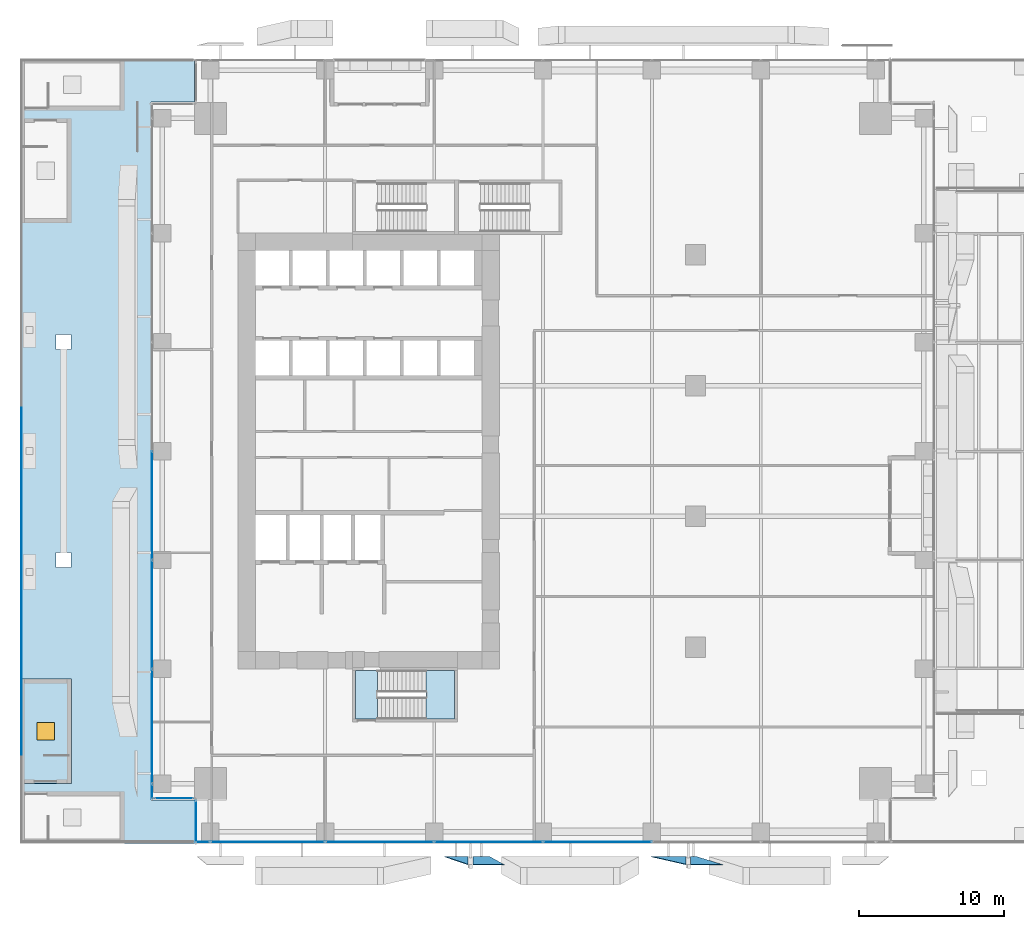
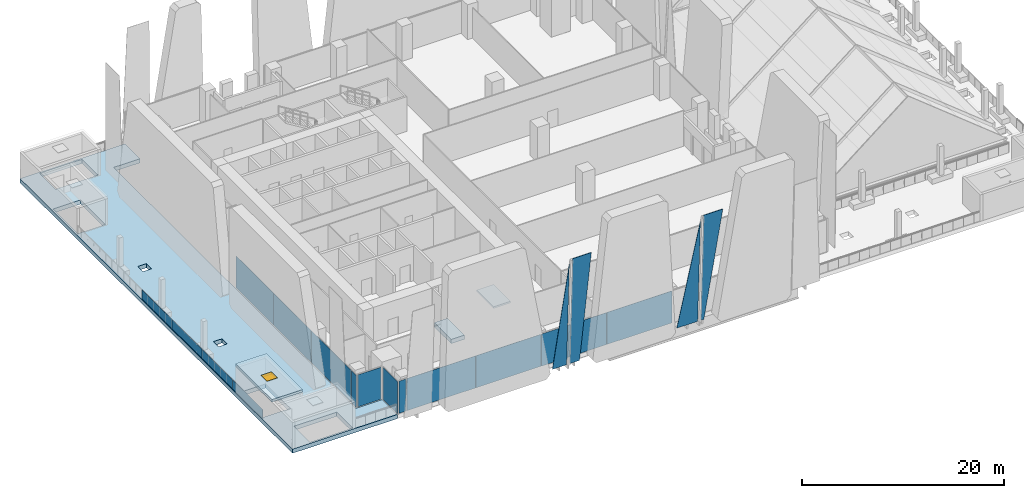
# One storey, part 26 of 46: 19 plates, 4 slabs, 1 window, 1 opening, 5 elements without a shape of their own.
"""IFC4 building model written with IfcOpenShell, lengths in metres."""

import ifcopenshell
import ifcopenshell.guid

model = None  # the IFC model being written
_history = None  # IfcOwnerHistory: only IFC2X3 demands one
_inside = {}  # id of a spatial element -> (the spatial element, [elements in it])
_under = {}  # id of a project, library or spatial element -> (it, [spatial elements below it])
_declared = {}  # id of a project -> (the project, [libraries it declares])
_typed = {}  # id of a type object -> (the type object, [elements of that type])
_made_of = {}  # id of a material, layer set ... -> (it, [elements and type objects made of it])


def new_model(schema):
    """Start an empty IFC model of exactly this schema.

    Asked for "IFC4X3", IfcOpenShell would pick the latest addendum, in which some entities
    have other attributes; the version numbers below select the first issue.
    IFC2X3 requires an IfcOwnerHistory on every rooted entity: one is made here for all.
    """
    global model, _history
    if schema == "IFC4X3":
        model = ifcopenshell.file(schema_version=(4, 3, 0, 0))
    else:
        model = ifcopenshell.file(schema=schema)
    _inside.clear()
    _under.clear()
    _declared.clear()
    _typed.clear()
    _made_of.clear()
    _history = None
    if model.schema == "IFC2X3":
        org = make("IfcOrganization", Name="unknown")
        user = make(
            "IfcPersonAndOrganization",
            ThePerson=make("IfcPerson", FamilyName="unknown"),
            TheOrganization=org,
        )
        app = make(
            "IfcApplication",
            ApplicationDeveloper=org,
            Version="unknown",
            ApplicationFullName="unknown",
            ApplicationIdentifier="unknown",
        )
        _history = make(
            "IfcOwnerHistory",
            OwningUser=user,
            OwningApplication=app,
            ChangeAction="ADDED",
            CreationDate=0,
        )
    return model


def make(cls, **values):
    """One entity of the class cls with the attributes given. An attribute that is None is left unset."""
    return model.create_entity(
        cls, **{name: value for name, value in values.items() if value is not None}
    )


def rooted(cls, **values):
    """An entity with a GlobalId (a new one), such as an element, a storey or a relation."""
    return make(cls, GlobalId=ifcopenshell.guid.new(), OwnerHistory=_history, **values)


def si_unit(unit_type, name, prefix=None):
    """IfcSIUnit, for example si_unit("LENGTHUNIT", "METRE", prefix="MILLI")."""
    return make("IfcSIUnit", UnitType=unit_type, Prefix=prefix, Name=name)


def assignment(units):
    """IfcUnitAssignment: the units of a project."""
    return None if units is None else make("IfcUnitAssignment", Units=units)


def point(xyz):
    """IfcCartesianPoint."""
    return None if xyz is None else make("IfcCartesianPoint", Coordinates=xyz)


def direction(xyz):
    """IfcDirection."""
    return None if xyz is None else make("IfcDirection", DirectionRatios=xyz)


def frame(location, z_axis=None, x_axis=None):
    """IfcAxis2Placement3D, a coordinate frame: its origin and axes. An axis left out is left unset."""
    return make(
        "IfcAxis2Placement3D",
        Location=point(location),
        Axis=direction(z_axis),
        RefDirection=direction(x_axis),
    )


def frame_2d(location, x_axis=None):
    """IfcAxis2Placement2D, a coordinate frame in the plane: its origin and x axis."""
    return make(
        "IfcAxis2Placement2D", Location=point(location), RefDirection=direction(x_axis)
    )


def origin():
    """The frame at (0, 0, 0) with its axes left unset."""
    return frame((0.0, 0.0, 0.0))


def origin_2d():
    """The frame at (0, 0) in the plane with its x axis left unset."""
    return frame_2d((0.0, 0.0))


def place(relative_to, where):
    """IfcLocalPlacement: puts the frame where relative to a parent placement (None: the world)."""
    return make(
        "IfcLocalPlacement", PlacementRelTo=relative_to, RelativePlacement=where
    )


def context(
    kind, dimensions, precision=None, world=None, true_north=None, identifier=None
):
    """IfcGeometricRepresentationContext, for example the 3D "Model" context."""
    return make(
        "IfcGeometricRepresentationContext",
        ContextIdentifier=identifier,
        ContextType=kind,
        CoordinateSpaceDimension=dimensions,
        Precision=precision,
        WorldCoordinateSystem=world,
        TrueNorth=true_north,
    )


def subcontext(parent, identifier, kind, view, scale=None):
    """IfcGeometricRepresentationSubContext, for example "Body" below "Model"."""
    return make(
        "IfcGeometricRepresentationSubContext",
        ContextIdentifier=identifier,
        ContextType=kind,
        ParentContext=parent,
        TargetScale=scale,
        TargetView=view,
    )


def project(units=None, contexts=None):
    """IfcProject with its units and contexts."""
    return rooted(
        "IfcProject",
        Name="project",
        RepresentationContexts=contexts,
        UnitsInContext=assignment(units),
    )


def spatial(cls, under=None, at=None, **own):
    """A site, building, storey or space (cls), placed at a placement, below another one or the project."""
    s = rooted(cls, ObjectPlacement=at, **own)
    if under is not None:
        _under.setdefault(under.id(), (under, []))[1].append(s)
    return s


def polyline(points):
    """IfcPolyline through the points."""
    return make("IfcPolyline", Points=[point(p) for p in points])


def profile(cls, at=None, kind="AREA", **sizes):
    """A parametric profile (cls). Its sizes go by their IFC names, for example OverallWidth=200.0."""
    return make(cls, ProfileType=kind, Position=at, **sizes)


def rectangle(**sizes):
    """IfcRectangleProfileDef."""
    return profile("IfcRectangleProfileDef", **sizes)


def outline(outer, holes=None, kind="AREA"):
    """IfcArbitraryClosedProfileDef: a profile drawn as a closed curve; with holes, ...WithVoids."""
    if holes is None:
        return make("IfcArbitraryClosedProfileDef", ProfileType=kind, OuterCurve=outer)
    return make(
        "IfcArbitraryProfileDefWithVoids",
        ProfileType=kind,
        OuterCurve=outer,
        InnerCurves=holes,
    )


def extrude(swept, where, along, depth):
    """IfcExtrudedAreaSolid: the profile swept, set in the frame where, extruded along a direction by depth."""
    return make(
        "IfcExtrudedAreaSolid",
        SweptArea=swept,
        Position=where,
        ExtrudedDirection=direction(along),
        Depth=depth,
    )


def shape(context_of_items, identifier, shape_type, items):
    """IfcShapeRepresentation: the items that make up one representation, for example the "Body"."""
    return make(
        "IfcShapeRepresentation",
        ContextOfItems=context_of_items,
        RepresentationIdentifier=identifier,
        RepresentationType=shape_type,
        Items=items,
    )


def source(mapping_origin, context_of_items, identifier, shape_type, items):
    """IfcRepresentationMap: a shape defined once, which mapped items show again and again."""
    return make(
        "IfcRepresentationMap",
        MappingOrigin=mapping_origin,
        MappedRepresentation=shape(context_of_items, identifier, shape_type, items),
    )


def transform(
    local_origin,
    x_axis=None,
    y_axis=None,
    z_axis=None,
    scale=None,
    scale2=None,
    scale3=None,
    uniform=True,
):
    """IfcCartesianTransformationOperator3D, or its non-uniform kind. x_axis, y_axis, z_axis: its Axis1, 2, 3."""
    if uniform:
        return make(
            "IfcCartesianTransformationOperator3D",
            Axis1=direction(x_axis),
            Axis2=direction(y_axis),
            LocalOrigin=point(local_origin),
            Scale=scale,
            Axis3=direction(z_axis),
        )
    return make(
        "IfcCartesianTransformationOperator3DnonUniform",
        Axis1=direction(x_axis),
        Axis2=direction(y_axis),
        LocalOrigin=point(local_origin),
        Scale=scale,
        Axis3=direction(z_axis),
        Scale2=scale2,
        Scale3=scale3,
    )


def mapped(mapping_source, mapping_target):
    """IfcMappedItem: shows the shape of a source again, moved by a transform."""
    return make(
        "IfcMappedItem", MappingSource=mapping_source, MappingTarget=mapping_target
    )


def material(Name=None, Category=None):
    """IfcMaterial."""
    return make("IfcMaterial", Name=Name, Category=Category)


def layer(
    of_material, thickness, ventilated=None, Name=None, Category=None, Priority=None
):
    """IfcMaterialLayer: one layer of a wall or slab, of a material (None: an air gap)."""
    return make(
        "IfcMaterialLayer",
        Material=of_material,
        LayerThickness=thickness,
        IsVentilated=ventilated,
        Name=Name,
        Category=Category,
        Priority=Priority,
    )


def layer_set(layers, Name=None):
    """IfcMaterialLayerSet."""
    return make("IfcMaterialLayerSet", MaterialLayers=layers, LayerSetName=Name)


def made_of(thing, what):
    """Note that an element or type object is made of a material, layer set ...; save() writes the relation."""
    if what is not None:
        _made_of.setdefault(what.id(), (what, []))[1].append(thing)
    return thing


def type_object(cls, material=None, **own):
    """A type object (cls), such as IfcWallType, which elements share."""
    return made_of(rooted(cls, **own), material)


def element(
    cls,
    number,
    at=None,
    inside=None,
    cuts=None,
    type_object=None,
    material=None,
    context=None,
    identifier="Body",
    shape_type=None,
    held_by="IfcProductDefinitionShape",
    body=None,
    shapes=None,
    **own,
):
    """One element of the class cls, such as IfcWall. Its Tag is "e" and its number.

    at: its placement. inside: the storey or other place that contains it. cuts: it is an
    opening in that element (IfcRelVoidsElement). A single representation is given by context,
    identifier, shape_type and body (its items); several are given by shapes. held_by: the class
    of the entity that holds the representations. save() writes the other relations.
    """
    e = rooted(cls, Tag="e%d" % number, ObjectPlacement=at, **own)
    if body is not None:
        shapes = [shape(context, identifier, shape_type, body)]
    if shapes is not None:
        e.Representation = make(held_by, Representations=shapes)
    if inside is not None:
        _inside.setdefault(inside.id(), (inside, []))[1].append(e)
    if cuts is not None:
        rooted(
            "IfcRelVoidsElement", RelatingBuildingElement=cuts, RelatedOpeningElement=e
        )
    if type_object is not None:
        _typed.setdefault(type_object.id(), (type_object, []))[1].append(e)
    return made_of(e, material)


def fill(opening, filler):
    """IfcRelFillsElement: the door or window that sits in an opening."""
    return rooted(
        "IfcRelFillsElement",
        RelatingOpeningElement=opening,
        RelatedBuildingElement=filler,
    )


def aggregate(whole, parts):
    """IfcRelAggregates: a whole, such as a stair, and the parts it consists of."""
    return rooted("IfcRelAggregates", RelatingObject=whole, RelatedObjects=parts)


def save(model, path):
    """Write the relations noted so far, then the file.

    IfcRelAggregates (storeys below a building ...), IfcRelContainedInSpatialStructure (elements
    in a storey), IfcRelDefinesByType, IfcRelAssociatesMaterial and IfcRelDeclares: one each for
    every whole, place, type object, material and project.
    """
    for whole, parts in _under.values():
        aggregate(whole, parts)
    for where, things in _inside.values():
        rooted(
            "IfcRelContainedInSpatialStructure",
            RelatedElements=things,
            RelatingStructure=where,
        )
    for kind, things in _typed.values():
        rooted("IfcRelDefinesByType", RelatedObjects=things, RelatingType=kind)
    for what, things in _made_of.values():
        rooted("IfcRelAssociatesMaterial", RelatedObjects=things, RelatingMaterial=what)
    for by, libraries in _declared.values():
        rooted("IfcRelDeclares", RelatingContext=by, RelatedDefinitions=libraries)
    model.write(path)


model = new_model("IFC4")

# Units and contexts
model_context = context("Model", 3, precision=1e-05, world=origin(), true_north=direction((0.0, 1.0)))
body_context = subcontext(model_context, "Body", "Model", "MODEL_VIEW")
ifc_project = project(units=[si_unit("LENGTHUNIT", "METRE"), si_unit("AREAUNIT", "SQUARE_METRE"), si_unit("VOLUMEUNIT", "CUBIC_METRE"), si_unit("PLANEANGLEUNIT", "RADIAN"), si_unit("MASSUNIT", "GRAM", prefix="KILO")], contexts=[model_context])

# Site, building, storey
site_placement = place(None, origin())
site = spatial("IfcSite", under=ifc_project, at=site_placement, CompositionType="ELEMENT")
building_placement = place(site_placement, origin())
building = spatial("IfcBuilding", under=site, at=building_placement, Name="Khomas Fold Tower", CompositionType="ELEMENT")
storey_placement = place(building_placement, frame((0.0, 0.0, 33.0)))
storey = spatial("IfcBuildingStorey", under=building, at=storey_placement, Name="L06", CompositionType="ELEMENT", Elevation=33.0)

# Plates
ifc_material_1 = material(Name="Clear laminated glass", Category="glass")
ifc_layer_1 = layer(ifc_material_1, 0.0400390625)
ifc_layer_set_1 = layer_set([ifc_layer_1], Name="Clear laminated glass")
plate_type_1 = type_object("IfcPlateType", Name="SK-Clear laminated glass leaf", PredefinedType="SHEET", material=ifc_layer_set_1)
plate_1_placement = place(storey_placement, frame((20.21435546875, -0.89990234375, 0.0), z_axis=(0.0, 0.99904187539, 0.043764497221), x_axis=(0.128233144367, -0.043403179719, 0.990793835607)))
element("IfcPlate", 1, at=plate_1_placement, inside=storey, type_object=plate_type_1, Name="OUTER SKIN glass L06 SG101-2", PredefinedType="SHEET", context=body_context, shape_type="SweptSolid", body=[
    extrude(outline(polyline([(0.0, 0.0), (12.599883315893335, -4.440892098500626e-16), (0.207189196635387, 1.6023833307661244), (0.0, 0.0)])), origin(), (0.0, 0.0, -1.0), 0.0400390625),
])
plate_2_placement = place(storey_placement, frame((23.31201171875, -0.89990234375, 0.0), z_axis=(0.0, 0.99904235518, 0.043753543365), x_axis=(-1.0, 0.0, 0.0)))
element("IfcPlate", 2, at=plate_2_placement, inside=storey, type_object=plate_type_1, Name="OUTER SKIN glass L06 SG102-4", PredefinedType="SHEET", context=body_context, shape_type="SweptSolid", body=[
    extrude(outline(polyline([(0.0, 0.0), (1.14208984375, 0.0), (1.14208984375, 13.062558119247585), (-1.022216796875, 13.062558119247585), (0.0, 0.0)])), origin(), (0.0, 0.0, -1.0), 0.0400390625),
])
plate_3_placement = place(storey_placement, frame((34.446533203125, -0.89990234375, 0.0), z_axis=(0.0, 0.999042386844, 0.043752820357), x_axis=(0.188456754665, -0.042968834977, 0.981141035143)))
element("IfcPlate", 3, at=plate_3_placement, inside=storey, type_object=plate_type_1, Name="OUTER SKIN glass L06 SG104-5", PredefinedType="SHEET", context=body_context, shape_type="SweptSolid", body=[
    extrude(outline(polyline([(0.0, 0.0), (12.647702259939303, 0.0), (0.4491951405743611, 2.3408353466829914), (0.0, 0.0)])), origin(), (0.0, 0.0, -1.0), 0.0400390625),
])
plate_4_placement = place(storey_placement, frame((37.540771484375, -0.89990234375, 0.0), z_axis=(0.0, 0.99904235518, 0.043753543365), x_axis=(-1.0, 0.0, 0.0)))
element("IfcPlate", 4, at=plate_4_placement, inside=storey, type_object=plate_type_1, Name="OUTER SKIN glass L06 SG105-7", PredefinedType="SHEET", context=body_context, shape_type="SweptSolid", body=[
    extrude(outline(polyline([(0.0, 0.0), (0.370849609375, 0.0), (0.370849609375, 13.062558119247585), (-1.83984375, 13.062558119247585), (0.0, 0.0)])), origin(), (0.0, 0.0, -1.0), 0.0400390625),
])

# Slab
ifc_material_2 = material(Name="Concrete C40/50", Category="concrete")
ifc_layer_2 = layer(ifc_material_2, 0.5)
ifc_layer_set_2 = layer_set([ifc_layer_2], Name="Concrete C40/50")
slab_type_1 = type_object("IfcSlabType", Name="RC roof slab 500", PredefinedType="ROOF", material=ifc_layer_set_2)
shared_shape_1 = source(origin(), body_context, "Body", "SweptSolid", [
    extrude(outline(polyline([(-9.0, 0.0), (3.0, 0.0), (3.0, 2.97998046875), (0.0, 2.97998046875), (0.0, 51.02001953125), (3.0, 51.02001953125), (3.0, 54.0), (-9.0, 54.0), (-9.0, 0.0)]), holes=[polyline([(-8.800048828125, 6.2099609375), (-8.800048828125, 11.10009765625), (-5.64990234375, 11.10009765625), (-5.64990234375, 6.2099609375), (-8.800048828125, 6.2099609375)]), polyline([(-8.800048828125, 42.89990234375), (-8.800048828125, 47.7900390625), (-5.64990234375, 47.7900390625), (-5.64990234375, 42.89990234375), (-8.800048828125, 42.89990234375)]), polyline([(-6.889892578125, 0.199951171875), (-6.889892578125, 3.35009765625), (-2.0, 3.35009765625), (-2.0, 0.199951171875), (-6.889892578125, 0.199951171875)]), polyline([(-6.889892578125, 50.64990234375), (-6.889892578125, 53.800048828125), (-2.0, 53.800048828125), (-2.0, 50.64990234375), (-6.889892578125, 50.64990234375)]), polyline([(-6.5048828125, 18.9951171875), (-6.5048828125, 20.0048828125), (-5.4951171875, 20.0048828125), (-5.4951171875, 18.9951171875), (-6.5048828125, 18.9951171875)]), polyline([(-6.5048828125, 33.9951171875), (-6.5048828125, 35.0048828125), (-5.4951171875, 35.0048828125), (-5.4951171875, 33.9951171875), (-6.5048828125, 33.9951171875)])]), origin(), (0.0, 0.0, 1.0), 0.5),
])
slab_1_placement = place(storey_placement, frame((0.0, 0.0, -0.5)))
element("IfcSlab", 5, at=slab_1_placement, inside=storey, type_object=slab_type_1, Name="Podium roof slab", PredefinedType="ROOF", context=body_context, shape_type="MappedRepresentation", body=[
    mapped(shared_shape_1, transform((0.0, 0.0, 0.0))),
])

# Curtain wall, plates
ifc_material_3 = material(Name="Aluminium framed double glazing", Category="aluminium")
curtain_wall_type = type_object("IfcCurtainWallType", Name="SK-Unitised clear-glass wall, growing floors CW1", PredefinedType="NOTDEFINED", material=ifc_material_3)
curtain_wall_1_placement = place(storey_placement, origin())
curtain_wall_1 = element("IfcCurtainWall", 6, at=curtain_wall_1_placement, inside=storey, type_object=curtain_wall_type, Name="CW1 run L06 00-0", PredefinedType="NOTDEFINED")
ifc_material_4 = material(Name="Clear double glazed unit")
ifc_layer_3 = layer(ifc_material_4, 0.031982421875)
ifc_layer_set_3 = layer_set([ifc_layer_3], Name="Clear double glazed unit")
plate_type_2 = type_object("IfcPlateType", Name="SK-Unitised clear-glass wall, growing floors glass panel CW1-P", PredefinedType="CURTAIN_PANEL", material=ifc_layer_set_3)
shared_shape_2 = source(origin(), body_context, "Body", "SweptSolid", [
    extrude(rectangle(XDim=0.81005859375, YDim=0.031982421875, at=origin_2d()), origin(), (0.0, 0.0, 1.0), 3.8798828125),
])
plate_5_placement = place(storey_placement, frame((3.6650390625, 0.10009765625, 0.0), z_axis=(0.0, 0.0, 1.0), x_axis=(1.0, 0.0, 0.0)))
plate_5 = element("IfcPlate", 7, at=plate_5_placement, type_object=plate_type_2, Name="CW1 glass panel 1", PredefinedType="CURTAIN_PANEL", context=body_context, shape_type="MappedRepresentation", body=[
    mapped(shared_shape_2, transform((0.0, 0.0, 0.0))),
])
shared_shape_3 = source(origin(), body_context, "Body", "SweptSolid", [
    extrude(rectangle(XDim=7.840087890625, YDim=0.031982421875, at=origin_2d()), origin(), (0.0, 0.0, 1.0), 3.8798828125),
])
plate_6_placement = place(storey_placement, frame((8.050048828125, 0.10009765625, 0.0), z_axis=(0.0, 0.0, 1.0), x_axis=(1.0, 0.0, 0.0)))
plate_6 = element("IfcPlate", 8, at=plate_6_placement, type_object=plate_type_2, Name="CW1 glass panel 2", PredefinedType="CURTAIN_PANEL", context=body_context, shape_type="MappedRepresentation", body=[
    mapped(shared_shape_3, transform((0.0, 0.0, 0.0))),
])

# Curtain wall, plate
curtain_wall_2_placement = place(storey_placement, origin())
curtain_wall_2 = element("IfcCurtainWall", 9, at=curtain_wall_2_placement, inside=storey, type_object=curtain_wall_type, Name="CW1 run L06 09-0", PredefinedType="NOTDEFINED")
plate_7_placement = place(storey_placement, frame((0.10009765625, 8.050048828125, 0.0), z_axis=(0.0, 0.0, 1.0), x_axis=(0.0, -1.0, 0.0)))
plate_7 = element("IfcPlate", 10, at=plate_7_placement, type_object=plate_type_2, Name="CW1 glass panel 7", PredefinedType="CURTAIN_PANEL", context=body_context, shape_type="MappedRepresentation", body=[
    mapped(shared_shape_3, transform((0.0, 0.0, 0.0))),
])

# Plate
shared_shape_4 = source(origin(), body_context, "Body", "SweptSolid", [
    extrude(rectangle(XDim=7.43994140625, YDim=0.031982421875, at=origin_2d()), origin(), (0.0, 0.0, 1.0), 3.8798828125),
])
plate_8_placement = place(storey_placement, frame((15.75, 0.10009765625, 0.0), z_axis=(0.0, 0.0, 1.0), x_axis=(1.0, 0.0, 0.0)))
plate_8 = element("IfcPlate", 11, at=plate_8_placement, type_object=plate_type_2, Name="CW1 glass panel 3", PredefinedType="CURTAIN_PANEL", context=body_context, shape_type="MappedRepresentation", body=[
    mapped(shared_shape_4, transform((0.0, 0.0, 0.0))),
])

plate_9_placement = place(storey_placement, frame((23.25, 0.10009765625, 0.0), z_axis=(0.0, 0.0, 1.0), x_axis=(1.0, 0.0, 0.0)))
plate_9 = element("IfcPlate", 12, at=plate_9_placement, type_object=plate_type_2, Name="CW1 glass panel 4", PredefinedType="CURTAIN_PANEL", context=body_context, shape_type="MappedRepresentation", body=[
    mapped(shared_shape_4, transform((0.0, 0.0, 0.0))),
])

plate_10_placement = place(storey_placement, frame((30.75, 0.10009765625, 0.0), z_axis=(0.0, 0.0, 1.0), x_axis=(1.0, 0.0, 0.0)))
plate_10 = element("IfcPlate", 13, at=plate_10_placement, type_object=plate_type_2, Name="CW1 glass panel 5", PredefinedType="CURTAIN_PANEL", context=body_context, shape_type="MappedRepresentation", body=[
    mapped(shared_shape_4, transform((0.0, 0.0, 0.0))),
])

aggregate(curtain_wall_1, [plate_5, plate_6, plate_8, plate_9, plate_10])

plate_11_placement = place(storey_placement, frame((0.10009765625, 23.25, 0.0), z_axis=(0.0, 0.0, 1.0), x_axis=(0.0, -1.0, 0.0)))
plate_11 = element("IfcPlate", 14, at=plate_11_placement, type_object=plate_type_2, Name="CW1 glass panel 5", PredefinedType="CURTAIN_PANEL", context=body_context, shape_type="MappedRepresentation", body=[
    mapped(shared_shape_4, transform((0.0, 0.0, 0.0))),
])

plate_12_placement = place(storey_placement, frame((0.10009765625, 15.75, 0.0), z_axis=(0.0, 0.0, 1.0), x_axis=(0.0, -1.0, 0.0)))
plate_12 = element("IfcPlate", 15, at=plate_12_placement, type_object=plate_type_2, Name="CW1 glass panel 6", PredefinedType="CURTAIN_PANEL", context=body_context, shape_type="MappedRepresentation", body=[
    mapped(shared_shape_4, transform((0.0, 0.0, 0.0))),
])

shared_shape_5 = source(origin(), body_context, "Body", "SweptSolid", [
    extrude(rectangle(XDim=1.010009765625, YDim=0.031982421875, at=origin_2d()), origin(), (0.0, 0.0, 1.0), 3.8798828125),
])
plate_13_placement = place(storey_placement, frame((0.10009765625, 3.56494140625, 0.0), z_axis=(0.0, 0.0, 1.0), x_axis=(0.0, -1.0, 0.0)))
plate_13 = element("IfcPlate", 16, at=plate_13_placement, type_object=plate_type_2, Name="CW1 glass panel 8", PredefinedType="CURTAIN_PANEL", context=body_context, shape_type="MappedRepresentation", body=[
    mapped(shared_shape_5, transform((0.0, 0.0, 0.0))),
])

aggregate(curtain_wall_2, [plate_11, plate_12, plate_7, plate_13])

# Curtain wall, plate
curtain_wall_3_placement = place(storey_placement, origin())
curtain_wall_3 = element("IfcCurtainWall", 17, at=curtain_wall_3_placement, inside=storey, type_object=curtain_wall_type, Name="CW1 corner return L06 10", PredefinedType="NOTDEFINED")
shared_shape_6 = source(origin(), body_context, "Body", "SweptSolid", [
    extrude(rectangle(XDim=2.679931640625, YDim=0.031982421875, at=origin_2d()), origin(), (0.0, 0.0, 1.0), 3.8798828125),
])
plate_14_placement = place(storey_placement, frame((1.60009765625, 3.10009765625, 0.0), z_axis=(0.0, 0.0, 1.0), x_axis=(1.0, 0.0, 0.0)))
plate_14 = element("IfcPlate", 18, at=plate_14_placement, type_object=plate_type_2, Name="CW1 glass panel 1", PredefinedType="CURTAIN_PANEL", context=body_context, shape_type="MappedRepresentation", body=[
    mapped(shared_shape_6, transform((0.0, 0.0, 0.0))),
])
aggregate(curtain_wall_3, [plate_14])

curtain_wall_4_placement = place(storey_placement, origin())
curtain_wall_4 = element("IfcCurtainWall", 19, at=curtain_wall_4_placement, inside=storey, type_object=curtain_wall_type, Name="CW1 corner return L06 11", PredefinedType="NOTDEFINED")
shared_shape_7 = source(origin(), body_context, "Body", "SweptSolid", [
    extrude(rectangle(XDim=2.8798828125, YDim=0.031982421875, at=origin_2d()), origin(), (0.0, 0.0, 1.0), 3.8798828125),
])
plate_15_placement = place(storey_placement, frame((3.10009765625, 1.5, 0.0), z_axis=(0.0, 0.0, 1.0), x_axis=(0.0, -1.0, 0.0)))
plate_15 = element("IfcPlate", 20, at=plate_15_placement, type_object=plate_type_2, Name="CW1 glass panel 1", PredefinedType="CURTAIN_PANEL", context=body_context, shape_type="MappedRepresentation", body=[
    mapped(shared_shape_7, transform((0.0, 0.0, 0.0))),
])
aggregate(curtain_wall_4, [plate_15])

# Plates
ifc_material_5 = material(Name="Laminated toughened glass", Category="glass")
ifc_layer_4 = layer(ifc_material_5, 0.030029296875)
ifc_layer_set_4 = layer_set([ifc_layer_4], Name="Laminated toughened glass")
plate_type_3 = type_object("IfcPlateType", Name="Guard glass infill GD-GI", PredefinedType="SHEET", material=ifc_layer_set_4)
shared_shape_8 = source(origin(), body_context, "Body", "SweptSolid", [
    extrude(rectangle(XDim=5.977783203125, YDim=0.030029296875, at=origin_2d()), origin(), (0.0, 0.0, 1.0), 1.10009765625),
])
for number, where, z_axis, x_axis, name in (
    (21, (-8.89990234375, 9.066650390625, 0.0), (0.0, 0.0, 1.0), (0.0, 1.0, 0.0), "Guard glass infill"),
    (22, (-8.89990234375, 15.04443359375, 0.0), (0.0, 0.0, 1.0), (0.0, 1.0, 0.0), "Guard glass infill"),
    (23, (-8.89990234375, 21.022216796875, 0.0), (0.0, 0.0, 1.0), (0.0, 1.0, 0.0), "Guard glass infill"),
    (24, (-8.89990234375, 27.0, 0.0), (0.0, 0.0, 1.0), (0.0, 1.0, 0.0), "Guard glass infill"),
):
    element("IfcPlate", number, at=place(storey_placement, frame(where, z_axis=z_axis, x_axis=x_axis)), inside=storey, type_object=plate_type_3, Name=name, PredefinedType="SHEET", context=body_context, shape_type="MappedRepresentation", body=[
        mapped(shared_shape_8, transform((0.0, 0.0, 0.0))),
    ])

# Slab, opening, window
ifc_material_6 = material(Name="Concrete C40/50", Category="concrete")
ifc_layer_5 = layer(ifc_material_6, 0.300048828125)
ifc_layer_set_5 = layer_set([ifc_layer_5], Name="Concrete C40/50")
slab_type_2 = type_object("IfcSlabType", Name="Stair head house roof slab PD-HR", PredefinedType="ROOF", material=ifc_layer_set_5)
shared_shape_9 = source(origin(), body_context, "Body", "SweptSolid", [
    extrude(outline(polyline([(-9.0, 4.10009765625), (-5.449951171875, 4.10009765625), (-5.449951171875, 11.300048828125), (-9.0, 11.300048828125), (-9.0, 4.10009765625)])), origin(), (0.0, 0.0, 1.0), 0.300048828125),
])
slab_2_placement = place(storey_placement, frame((0.0, 0.0, 3.199951171875)))
slab_2 = element("IfcSlab", 25, at=slab_2_placement, inside=storey, type_object=slab_type_2, Name="Stair head roof PS2", PredefinedType="ROOF", context=body_context, shape_type="MappedRepresentation", body=[
    mapped(shared_shape_9, transform((0.0, 0.0, 0.0))),
])
opening_placement = place(slab_2_placement, frame((-7.22509765625, 7.699951171875, 0.0)))
opening = element("IfcOpeningElement", 26, at=opening_placement, cuts=slab_2, Name="Opening PD-SV", PredefinedType="OPENING", context=body_context, shape_type="SweptSolid", body=[
    extrude(rectangle(XDim=1.199951171875, YDim=1.199951171875, at=origin_2d()), origin(), (0.0, 0.0, 1.0), 0.300048828125),
])
ifc_material_7 = material(Name="Insulated aluminium", Category="aluminium")
window_type = type_object("IfcWindowType", Name="Stair smoke vent", PartitioningType="SINGLE_PANEL", PredefinedType="SKYLIGHT", material=ifc_material_7)
window_placement = place(opening_placement, frame((0.0, 0.0, 0.25)))
window = element("IfcWindow", 27, at=window_placement, inside=storey, type_object=window_type, Name="Stair smoke vent PS2", OverallHeight=1.199951171875, OverallWidth=1.199951171875, PartitioningType="SINGLE_PANEL", PredefinedType="SKYLIGHT", context=body_context, shape_type="SweptSolid", body=[
    extrude(rectangle(XDim=1.199951171875, YDim=1.199951171875, at=origin_2d()), origin(), (0.0, 0.0, 1.0), 0.050048828125),
])
fill(opening, window)

# Stair, slab
ifc_material_8 = material(Name="Concrete C40/50", Category="concrete")
stair_type = type_object("IfcStairType", Name="Stair ST2", PredefinedType="HALF_TURN_STAIR", material=ifc_material_8)
stair_placement = place(storey_placement, origin())
stair = element("IfcStair", 28, at=stair_placement, inside=storey, type_object=stair_type, Name="L06 ST2", PredefinedType="HALF_TURN_STAIR")
ifc_material_9 = material(Name="Concrete C40/50", Category="concrete")
ifc_layer_6 = layer(ifc_material_9, 0.199951171875)
ifc_layer_set_6 = layer_set([ifc_layer_6], Name="Concrete C40/50")
slab_type_3 = type_object("IfcSlabType", Name="Stair landing 200", PredefinedType="LANDING", material=ifc_layer_set_6)
shared_shape_10 = source(origin(), body_context, "Body", "SweptSolid", [
    extrude(outline(polyline([(18.9599609375, 8.550048828125), (20.89990234375, 8.550048828125), (20.89990234375, 11.89990234375), (18.9599609375, 11.89990234375), (18.9599609375, 8.550048828125)])), origin(), (0.0, 0.0, 1.0), 0.199951171875),
])
slab_3_placement = place(storey_placement, frame((0.0, 0.0, 2.050048828125)))
slab_3 = element("IfcSlab", 29, at=slab_3_placement, type_object=slab_type_3, Name="ST2 landing 1", PredefinedType="LANDING", context=body_context, shape_type="MappedRepresentation", body=[
    mapped(shared_shape_10, transform((0.0, 0.0, 0.0))),
])
aggregate(stair, [slab_3])

# Slab
ifc_material_10 = material(Name="Concrete C40/50", Category="concrete")
ifc_layer_7 = layer(ifc_material_10, 0.5)
ifc_layer_set_7 = layer_set([ifc_layer_7], Name="Concrete C40/50")
slab_type_4 = type_object("IfcSlabType", Name="Stair floor landing 500", PredefinedType="LANDING", material=ifc_layer_set_7)
shared_shape_11 = source(origin(), body_context, "Body", "SweptSolid", [
    extrude(outline(polyline([(14.10009765625, 11.89990234375), (15.60009765625, 11.89990234375), (15.60009765625, 8.550048828125), (14.10009765625, 8.550048828125), (14.10009765625, 11.89990234375)])), origin(), (0.0, 0.0, 1.0), 0.5),
])
slab_4_placement = place(storey_placement, frame((0.0, 0.0, -0.5)))
element("IfcSlab", 30, at=slab_4_placement, inside=storey, type_object=slab_type_4, Name="ST2 floor landing", PredefinedType="LANDING", context=body_context, shape_type="MappedRepresentation", body=[
    mapped(shared_shape_11, transform((0.0, 0.0, 0.0))),
])

save(model, "model.ifc")
